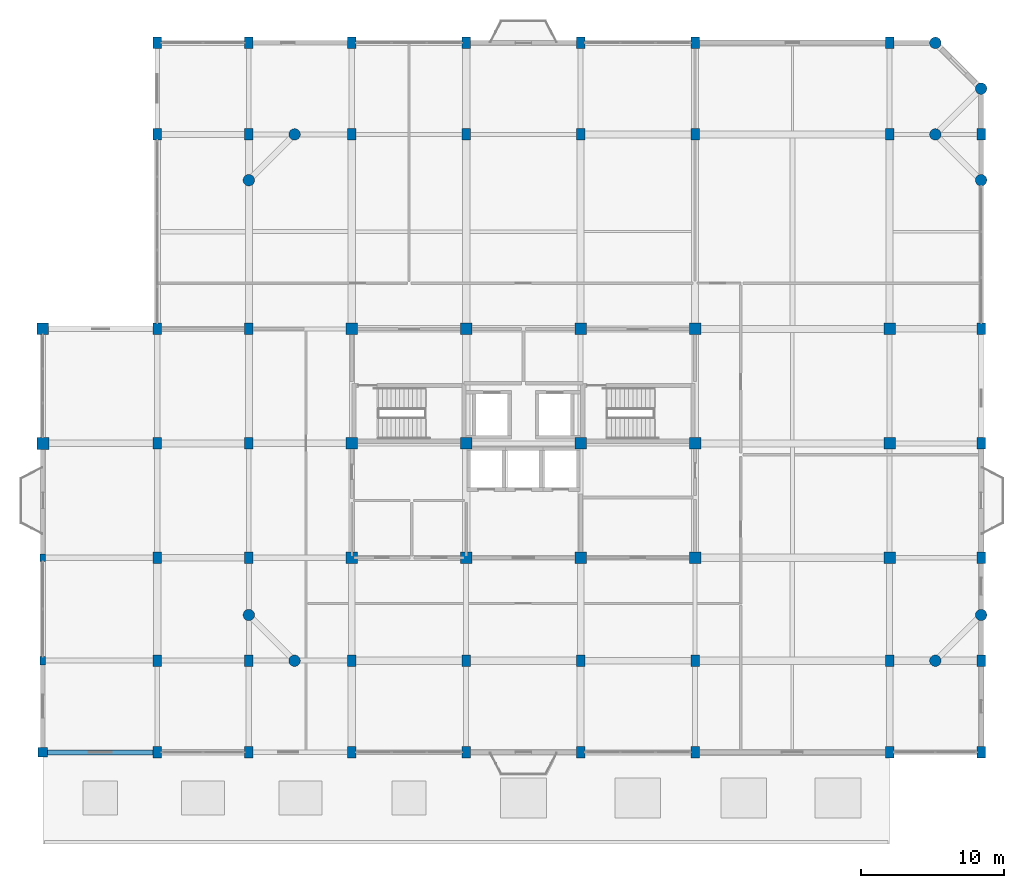
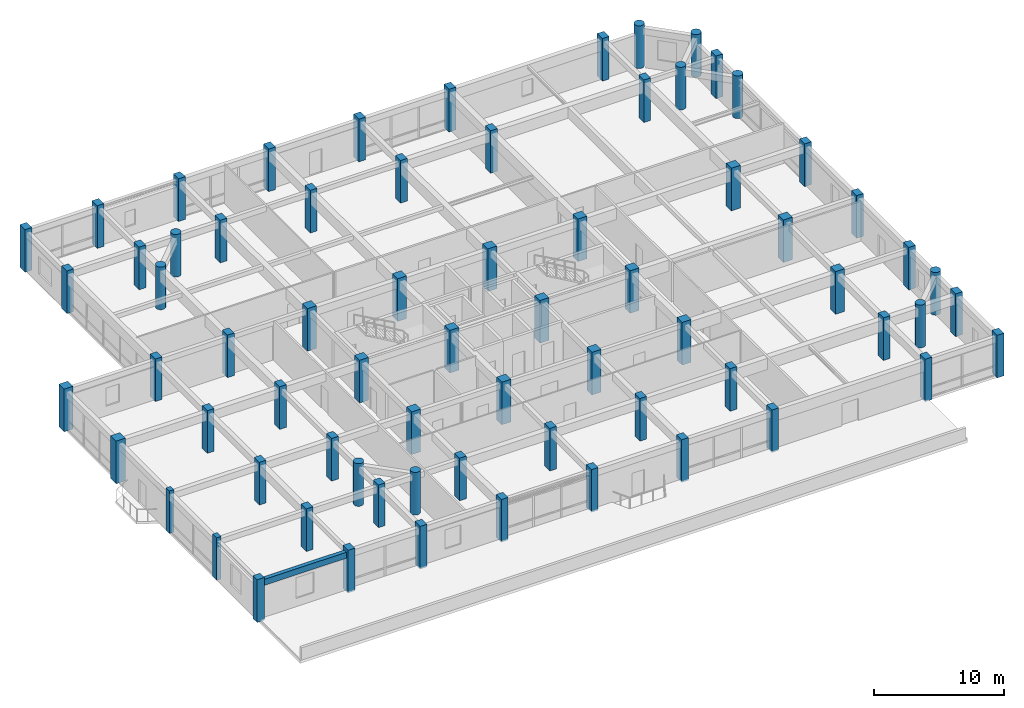
# One storey, part 1 of 20: 70 columns, 1 beam.
"""IFC4 building model written with IfcOpenShell, lengths in metres."""

from ifc_helpers import new_model, si_unit, direction, frame, origin, origin_2d, place, context, subcontext, project, spatial, rectangle, circle, extrude, material, material_profile, profile_set, type_object, element, save


model = new_model("IFC4")

# Units and contexts
model_context = context("Model", 3, precision=1e-05, world=origin(), true_north=direction((0.0, 1.0)))
body_context = subcontext(model_context, "Body", "Model", "MODEL_VIEW")
ifc_project = project(units=[si_unit("LENGTHUNIT", "METRE"), si_unit("AREAUNIT", "SQUARE_METRE"), si_unit("VOLUMEUNIT", "CUBIC_METRE"), si_unit("PLANEANGLEUNIT", "RADIAN"), si_unit("MASSUNIT", "GRAM", prefix="KILO")], contexts=[model_context])

# Site, building, storey
site_placement = place(None, origin())
site = spatial("IfcSite", under=ifc_project, at=site_placement, CompositionType="ELEMENT")
building_placement = place(site_placement, origin())
building = spatial("IfcBuilding", under=site, at=building_placement, Name="Vellmiral Cinema and Media Centre", CompositionType="ELEMENT")
storey_placement = place(building_placement, frame((0.0, 0.0, 23.800048828125)))
storey = spatial("IfcBuildingStorey", under=building, at=storey_placement, Name="L05", CompositionType="ELEMENT", Elevation=23.800048828125)

# Columns
ifc_material_1 = material(Name="Concrete C40/50", Category="concrete")
ifc_material_profile_1 = material_profile(ifc_material_1, rectangle(XDim=0.39990234375, YDim=0.5, at=origin_2d()), Name="RC 400x500")
ifc_profile_set_1 = profile_set([ifc_material_profile_1], Name="Concrete C40/50")
column_type_1 = type_object("IfcColumnType", Name="COL-RC-400x500", PredefinedType="COLUMN", material=ifc_profile_set_1)
column_1_placement = place(storey_placement, frame((102.39990234375, 79.199951171875, 0.0), z_axis=(0.0, 0.0, 1.0), x_axis=(1.0, 0.0, 0.0)))
element("IfcColumn", 1, at=column_1_placement, inside=storey, type_object=column_type_1, Name="Column L05-003", PredefinedType="COLUMN", context=body_context, shape_type="SweptSolid", body=[
    extrude(rectangle(XDim=0.39990234375, YDim=0.5, at=origin_2d()), origin(), (0.0, 0.0, 1.0), 4.0),
])
ifc_material_2 = material(Name="Concrete C40/50", Category="concrete")
ifc_material_profile_2 = material_profile(ifc_material_2, rectangle(XDim=0.39990234375, YDim=0.60009765625, at=origin_2d()), Name="RC 400x600")
ifc_profile_set_2 = profile_set([ifc_material_profile_2], Name="Concrete C40/50")
column_type_2 = type_object("IfcColumnType", Name="COL-RC-400x600", PredefinedType="COLUMN", material=ifc_profile_set_2)
column_2_placement = place(storey_placement, frame((102.39990234375, 72.0, 0.0), z_axis=(0.0, 0.0, 1.0), x_axis=(1.0, 0.0, 0.0)))
element("IfcColumn", 2, at=column_2_placement, inside=storey, type_object=column_type_2, Name="Column L05-002", PredefinedType="COLUMN", context=body_context, shape_type="SweptSolid", body=[
    extrude(rectangle(XDim=0.39990234375, YDim=0.60009765625, at=origin_2d()), origin(), (0.0, 0.0, 1.0), 4.0),
])
ifc_material_3 = material(Name="Concrete C40/50", Category="concrete")
ifc_material_profile_3 = material_profile(ifc_material_3, rectangle(XDim=0.60009765625, YDim=0.800048828125, at=origin_2d()), Name="RC 600x800")
ifc_profile_set_3 = profile_set([ifc_material_profile_3], Name="Concrete C40/50")
column_type_3 = type_object("IfcColumnType", Name="COL-RC-600x800", PredefinedType="COLUMN", material=ifc_profile_set_3)
for number, where, z_axis, x_axis, name in (
    (3, (110.39990234375, 65.60009765625, 0.0), (0.0, 0.0, 1.0), (1.0, 0.0, 0.0), "Column L05-006"),
    (4, (110.39990234375, 72.0, 0.0), (0.0, 0.0, 1.0), (1.0, 0.0, 0.0), "Column L05-007"),
    (5, (110.39990234375, 79.199951171875, 0.0), (0.0, 0.0, 1.0), (1.0, 0.0, 0.0), "Column L05-008"),
    (6, (110.39990234375, 87.199951171875, 0.0), (0.0, 0.0, 1.0), (1.0, 0.0, 0.0), "Column L05-009"),
    (7, (110.39990234375, 95.199951171875, 0.0), (0.0, 0.0, 1.0), (1.0, 0.0, 0.0), "Column L05-010"),
    (8, (110.39990234375, 108.800048828125, 0.0), (0.0, 0.0, 1.0), (1.0, 0.0, 0.0), "Column L05-011"),
    (9, (110.39990234375, 115.199951171875, 0.0), (0.0, 0.0, 1.0), (1.0, 0.0, 0.0), "Column L05-012"),
    (10, (116.800048828125, 65.60009765625, 0.0), (0.0, 0.0, 1.0), (1.0, 0.0, 0.0), "Column L05-013"),
    (11, (116.800048828125, 72.0, 0.0), (0.0, 0.0, 1.0), (1.0, 0.0, 0.0), "Column L05-014"),
    (12, (116.800048828125, 79.199951171875, 0.0), (0.0, 0.0, 1.0), (1.0, 0.0, 0.0), "Column L05-016"),
    (13, (116.800048828125, 87.199951171875, 0.0), (0.0, 0.0, 1.0), (1.0, 0.0, 0.0), "Column L05-017"),
    (14, (116.800048828125, 95.199951171875, 0.0), (0.0, 0.0, 1.0), (1.0, 0.0, 0.0), "Column L05-018"),
    (15, (116.800048828125, 108.800048828125, 0.0), (0.0, 0.0, 1.0), (1.0, 0.0, 0.0), "Column L05-020"),
    (16, (116.800048828125, 115.199951171875, 0.0), (0.0, 0.0, 1.0), (1.0, 0.0, 0.0), "Column L05-021"),
    (17, (124.0, 65.60009765625, 0.0), (0.0, 0.0, 1.0), (1.0, 0.0, 0.0), "Column L05-024"),
    (18, (124.0, 72.0, 0.0), (0.0, 0.0, 1.0), (1.0, 0.0, 0.0), "Column L05-025"),
    (19, (124.0, 108.800048828125, 0.0), (0.0, 0.0, 1.0), (1.0, 0.0, 0.0), "Column L05-029"),
    (20, (124.0, 115.199951171875, 0.0), (0.0, 0.0, 1.0), (1.0, 0.0, 0.0), "Column L05-030"),
    (21, (132.0, 65.60009765625, 0.0), (0.0, 0.0, 1.0), (1.0, 0.0, 0.0), "Column L05-031"),
    (22, (132.0, 72.0, 0.0), (0.0, 0.0, 1.0), (1.0, 0.0, 0.0), "Column L05-032"),
    (23, (132.0, 108.800048828125, 0.0), (0.0, 0.0, 1.0), (1.0, 0.0, 0.0), "Column L05-036"),
    (24, (132.0, 115.199951171875, 0.0), (0.0, 0.0, 1.0), (1.0, 0.0, 0.0), "Column L05-037"),
    (25, (140.0, 65.60009765625, 0.0), (0.0, 0.0, 1.0), (1.0, 0.0, 0.0), "Column L05-038"),
    (26, (140.0, 72.0, 0.0), (0.0, 0.0, 1.0), (1.0, 0.0, 0.0), "Column L05-039"),
    (27, (140.0, 108.800048828125, 0.0), (0.0, 0.0, 1.0), (1.0, 0.0, 0.0), "Column L05-043"),
    (28, (140.0, 115.199951171875, 0.0), (0.0, 0.0, 1.0), (1.0, 0.0, 0.0), "Column L05-044"),
    (29, (148.0, 65.60009765625, 0.0), (0.0, 0.0, 1.0), (1.0, 0.0, 0.0), "Column L05-045"),
    (30, (148.0, 72.0, 0.0), (0.0, 0.0, 1.0), (1.0, 0.0, 0.0), "Column L05-046"),
    (31, (148.0, 108.800048828125, 0.0), (0.0, 0.0, 1.0), (1.0, 0.0, 0.0), "Column L05-050"),
    (32, (148.0, 115.199951171875, 0.0), (0.0, 0.0, 1.0), (1.0, 0.0, 0.0), "Column L05-051"),
    (33, (161.60009765625, 65.60009765625, 0.0), (0.0, 0.0, 1.0), (1.0, 0.0, 0.0), "Column L05-052"),
    (34, (161.60009765625, 72.0, 0.0), (0.0, 0.0, 1.0), (1.0, 0.0, 0.0), "Column L05-053"),
    (35, (161.60009765625, 108.800048828125, 0.0), (0.0, 0.0, 1.0), (1.0, 0.0, 0.0), "Column L05-057"),
    (36, (161.60009765625, 115.199951171875, 0.0), (0.0, 0.0, 1.0), (1.0, 0.0, 0.0), "Column L05-058"),
    (37, (168.0, 65.60009765625, 0.0), (0.0, 0.0, 1.0), (1.0, 0.0, 0.0), "Column L05-062"),
    (38, (168.0, 72.0, 0.0), (0.0, 0.0, 1.0), (1.0, 0.0, 0.0), "Column L05-063"),
    (39, (168.0, 79.199951171875, 0.0), (0.0, 0.0, 1.0), (1.0, 0.0, 0.0), "Column L05-065"),
    (40, (168.0, 87.199951171875, 0.0), (0.0, 0.0, 1.0), (1.0, 0.0, 0.0), "Column L05-066"),
    (41, (168.0, 95.199951171875, 0.0), (0.0, 0.0, 1.0), (1.0, 0.0, 0.0), "Column L05-067"),
    (42, (168.0, 108.800048828125, 0.0), (0.0, 0.0, 1.0), (1.0, 0.0, 0.0), "Column L05-069"),
):
    element("IfcColumn", number, at=place(storey_placement, frame(where, z_axis=z_axis, x_axis=x_axis)), inside=storey, type_object=column_type_3, Name=name, PredefinedType="COLUMN", context=body_context, shape_type="SweptSolid", body=[
        extrude(rectangle(XDim=0.60009765625, YDim=0.800048828125, at=origin_2d()), origin(), (0.0, 0.0, 1.0), 4.0),
    ])
ifc_material_4 = material(Name="Concrete C40/50", Category="concrete")
ifc_material_profile_4 = material_profile(ifc_material_4, rectangle(XDim=0.64990234375, YDim=0.64990234375, at=origin_2d()), Name="RC 650x650")
ifc_profile_set_4 = profile_set([ifc_material_profile_4], Name="Concrete C40/50")
column_type_4 = type_object("IfcColumnType", Name="COL-RC-650x650", PredefinedType="COLUMN", material=ifc_profile_set_4)
column_3_placement = place(storey_placement, frame((102.39990234375, 65.60009765625, 0.0), z_axis=(0.0, 0.0, 1.0), x_axis=(1.0, 0.0, 0.0)))
element("IfcColumn", 43, at=column_3_placement, inside=storey, type_object=column_type_4, Name="Column L05-001", PredefinedType="COLUMN", context=body_context, shape_type="SweptSolid", body=[
    extrude(rectangle(XDim=0.64990234375, YDim=0.64990234375, at=origin_2d()), origin(), (0.0, 0.0, 1.0), 4.0),
])
ifc_material_5 = material(Name="Concrete C40/50", Category="concrete")
ifc_material_profile_5 = material_profile(ifc_material_5, rectangle(XDim=0.800048828125, YDim=0.800048828125, at=origin_2d()), Name="RC 800x800")
ifc_profile_set_5 = profile_set([ifc_material_profile_5], Name="Concrete C40/50")
column_type_5 = type_object("IfcColumnType", Name="COL-RC-800x800", PredefinedType="COLUMN", material=ifc_profile_set_5)
for number, where, z_axis, x_axis, name in (
    (44, (102.39990234375, 95.199951171875, 0.0), (0.0, 0.0, 1.0), (1.0, 0.0, 0.0), "Column L05-005"),
    (45, (124.0, 79.199951171875, 0.0), (0.0, 0.0, 1.0), (1.0, 0.0, 0.0), "Column L05-026"),
    (46, (124.0, 87.199951171875, 0.0), (0.0, 0.0, 1.0), (1.0, 0.0, 0.0), "Column L05-027"),
    (47, (124.0, 95.199951171875, 0.0), (0.0, 0.0, 1.0), (1.0, 0.0, 0.0), "Column L05-028"),
    (48, (132.0, 79.199951171875, 0.0), (0.0, 0.0, 1.0), (1.0, 0.0, 0.0), "Column L05-033"),
    (49, (132.0, 87.199951171875, 0.0), (0.0, 0.0, 1.0), (1.0, 0.0, 0.0), "Column L05-034"),
    (50, (132.0, 95.199951171875, 0.0), (0.0, 0.0, 1.0), (1.0, 0.0, 0.0), "Column L05-035"),
    (51, (140.0, 79.199951171875, 0.0), (0.0, 0.0, 1.0), (1.0, 0.0, 0.0), "Column L05-040"),
    (52, (140.0, 87.199951171875, 0.0), (0.0, 0.0, 1.0), (1.0, 0.0, 0.0), "Column L05-041"),
    (53, (140.0, 95.199951171875, 0.0), (0.0, 0.0, 1.0), (1.0, 0.0, 0.0), "Column L05-042"),
    (54, (148.0, 79.199951171875, 0.0), (0.0, 0.0, 1.0), (1.0, 0.0, 0.0), "Column L05-047"),
    (55, (148.0, 87.199951171875, 0.0), (0.0, 0.0, 1.0), (1.0, 0.0, 0.0), "Column L05-048"),
    (56, (148.0, 95.199951171875, 0.0), (0.0, 0.0, 1.0), (1.0, 0.0, 0.0), "Column L05-049"),
    (57, (161.60009765625, 79.199951171875, 0.0), (0.0, 0.0, 1.0), (1.0, 0.0, 0.0), "Column L05-054"),
    (58, (161.60009765625, 87.199951171875, 0.0), (0.0, 0.0, 1.0), (1.0, 0.0, 0.0), "Column L05-055"),
    (59, (161.60009765625, 95.199951171875, 0.0), (0.0, 0.0, 1.0), (1.0, 0.0, 0.0), "Column L05-056"),
):
    element("IfcColumn", number, at=place(storey_placement, frame(where, z_axis=z_axis, x_axis=x_axis)), inside=storey, type_object=column_type_5, Name=name, PredefinedType="COLUMN", context=body_context, shape_type="SweptSolid", body=[
        extrude(rectangle(XDim=0.800048828125, YDim=0.800048828125, at=origin_2d()), origin(), (0.0, 0.0, 1.0), 4.0),
    ])
ifc_material_6 = material(Name="Concrete C40/50", Category="concrete")
ifc_material_profile_6 = material_profile(ifc_material_6, rectangle(XDim=0.85009765625, YDim=0.85009765625, at=origin_2d()), Name="RC 850x850")
ifc_profile_set_6 = profile_set([ifc_material_profile_6], Name="Concrete C40/50")
column_type_6 = type_object("IfcColumnType", Name="COL-RC-850x850", PredefinedType="COLUMN", material=ifc_profile_set_6)
column_4_placement = place(storey_placement, frame((102.39990234375, 87.199951171875, 0.0), z_axis=(0.0, 0.0, 1.0), x_axis=(1.0, 0.0, 0.0)))
element("IfcColumn", 60, at=column_4_placement, inside=storey, type_object=column_type_6, Name="Column L05-004", PredefinedType="COLUMN", context=body_context, shape_type="SweptSolid", body=[
    extrude(rectangle(XDim=0.85009765625, YDim=0.85009765625, at=origin_2d()), origin(), (0.0, 0.0, 1.0), 4.0),
])
ifc_material_7 = material(Name="Concrete C40/50", Category="concrete")
ifc_material_profile_7 = material_profile(ifc_material_7, circle(Radius=0.39990234375, at=origin_2d()), Name="RC D800")
ifc_profile_set_7 = profile_set([ifc_material_profile_7], Name="Concrete C40/50")
column_type_7 = type_object("IfcColumnType", Name="COL-RCC-D800", PredefinedType="COLUMN", material=ifc_profile_set_7)
for number, where, z_axis, x_axis, name in (
    (61, (116.800048828125, 75.199951171875, 0.0), (0.0, 0.0, 1.0), (1.0, 0.0, 0.0), "Column L05-015"),
    (62, (116.800048828125, 105.60009765625, 0.0), (0.0, 0.0, 1.0), (1.0, 0.0, 0.0), "Column L05-019"),
    (63, (120.0, 72.0, 0.0), (0.0, 0.0, 1.0), (1.0, 0.0, 0.0), "Column L05-022"),
    (64, (120.0, 108.800048828125, 0.0), (0.0, 0.0, 1.0), (1.0, 0.0, 0.0), "Column L05-023"),
    (65, (164.800048828125, 72.0, 0.0), (0.0, 0.0, 1.0), (1.0, 0.0, 0.0), "Column L05-059"),
    (66, (164.800048828125, 108.800048828125, 0.0), (0.0, 0.0, 1.0), (1.0, 0.0, 0.0), "Column L05-060"),
    (67, (164.800048828125, 115.199951171875, 0.0), (0.0, 0.0, 1.0), (1.0, 0.0, 0.0), "Column L05-061"),
    (68, (168.0, 75.199951171875, 0.0), (0.0, 0.0, 1.0), (1.0, 0.0, 0.0), "Column L05-064"),
    (69, (168.0, 105.60009765625, 0.0), (0.0, 0.0, 1.0), (1.0, 0.0, 0.0), "Column L05-068"),
    (70, (168.0, 112.0, 0.0), (0.0, 0.0, 1.0), (1.0, 0.0, 0.0), "Column L05-070"),
):
    element("IfcColumn", number, at=place(storey_placement, frame(where, z_axis=z_axis, x_axis=x_axis)), inside=storey, type_object=column_type_7, Name=name, PredefinedType="COLUMN", context=body_context, shape_type="SweptSolid", body=[
        extrude(circle(Radius=0.39990234375, at=origin_2d()), origin(), (0.0, 0.0, 1.0), 4.0),
    ])

# Beam
ifc_material_8 = material(Name="Concrete C40/50", Category="concrete")
ifc_material_profile_8 = material_profile(ifc_material_8, rectangle(XDim=0.35009765625, YDim=0.56005859375, at=origin_2d()), Name="RC 350x560")
ifc_profile_set_8 = profile_set([ifc_material_profile_8], Name="Concrete C40/50")
beam_type = type_object("IfcBeamType", Name="SPD-RC-350x560", PredefinedType="SPANDREL", material=ifc_profile_set_8)
beam_placement = place(storey_placement, frame((102.39990234375, 65.60009765625, 3.4150390625), z_axis=(1.0, 0.0, 0.0), x_axis=(0.0, 1.0, 0.0)))
element("IfcBeam", 71, at=beam_placement, inside=storey, type_object=beam_type, Name="Grid Beam L05-X001", PredefinedType="SPANDREL", context=body_context, shape_type="SweptSolid", body=[
    extrude(rectangle(XDim=0.35009765625, YDim=0.56005859375, at=origin_2d()), origin(), (0.0, 0.0, 1.0), 8.0),
])

save(model, "model.ifc")
